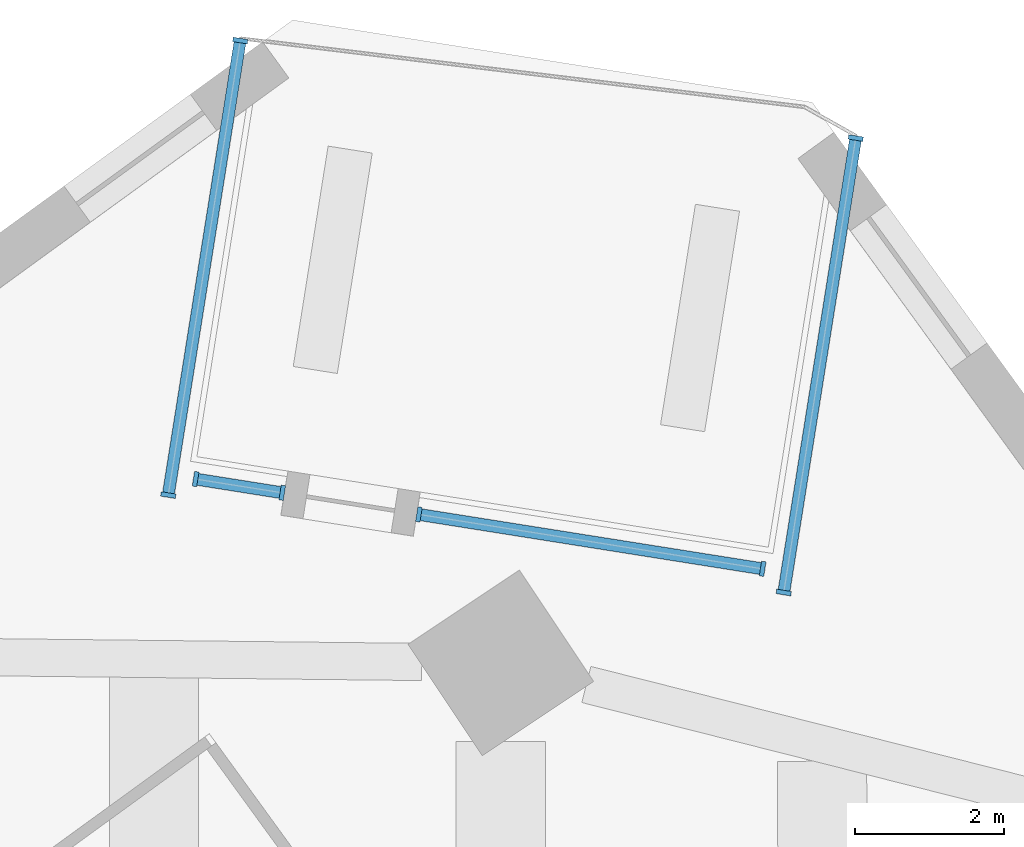
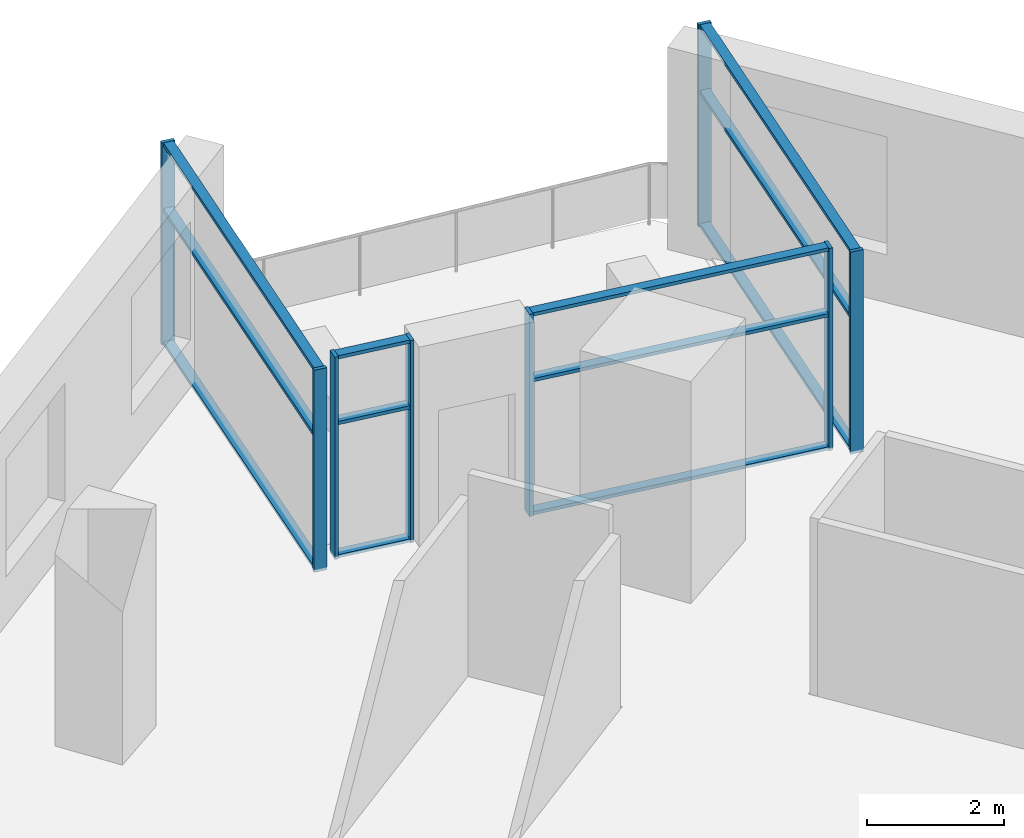
# One storey, part 2 of 11: 20 members, 4 elements without a shape of their own.
"""IFC4 building model written with IfcOpenShell, lengths in metres."""

from ifc_helpers import new_model, si_unit, direction, frame, origin, origin_2d, place, context, subcontext, project, spatial, rectangle, extrude, material, material_profile, profile_set, type_object, element, aggregate, save


model = new_model("IFC4")

# Units and contexts
model_context = context("Model", 3, precision=1e-05, world=origin(), true_north=direction((0.0, 1.0)))
body_context = subcontext(model_context, "Body", "Model", "MODEL_VIEW")
ifc_project = project(units=[si_unit("LENGTHUNIT", "METRE"), si_unit("AREAUNIT", "SQUARE_METRE"), si_unit("VOLUMEUNIT", "CUBIC_METRE"), si_unit("PLANEANGLEUNIT", "RADIAN"), si_unit("MASSUNIT", "GRAM", prefix="KILO")], contexts=[model_context])

# Site, building, storey
site_placement = place(None, origin())
site = spatial("IfcSite", under=ifc_project, at=site_placement, CompositionType="ELEMENT")
building_placement = place(site_placement, origin())
building = spatial("IfcBuilding", under=site, at=building_placement, Name="Dilmun Exchange Tower", CompositionType="ELEMENT")
storey_placement = place(building_placement, frame((0.0, 0.0, 167.699951171875)))
storey = spatial("IfcBuildingStorey", under=building, at=storey_placement, Name="L39", CompositionType="ELEMENT", Elevation=167.699951171875)

# Curtain wall, members
ifc_material_1 = material(Name="Anodised aluminium and clear glass", Category="aluminium")
curtain_wall_type = type_object("IfcCurtainWallType", Name="Garden corner glazing", PredefinedType="NOTDEFINED", material=ifc_material_1)
curtain_wall_1_placement = place(storey_placement, origin())
curtain_wall_1 = element("IfcCurtainWall", 1, at=curtain_wall_1_placement, inside=storey, type_object=curtain_wall_type, Name="Garden corner glazing run GC1.1", PredefinedType="NOTDEFINED")
ifc_material_2 = material(Name="Anodised aluminium", Category="aluminium")
ifc_material_profile_1 = material_profile(ifc_material_2, rectangle(XDim=0.199951171875, YDim=0.06005859375, at=origin_2d()), Name="AL 60x200")
ifc_profile_set_1 = profile_set([ifc_material_profile_1], Name="Anodised aluminium")
member_type_1 = type_object("IfcMemberType", Name="Garden corner glazing mullion 60 x 200", PredefinedType="MULLION", material=ifc_profile_set_1)
member_1_placement = place(storey_placement, frame((12.27734375, 34.465576171875, 0.0), z_axis=(0.0, 0.0, 1.0), x_axis=(0.987687564963, -0.15643936211, 0.0)))
member_1 = element("IfcMember", 2, at=member_1_placement, type_object=member_type_1, Name="GC1.1 mullion 1", PredefinedType="MULLION", context=body_context, shape_type="SweptSolid", body=[
    extrude(rectangle(XDim=0.199951171875, YDim=0.06005859375, at=origin_2d()), origin(), (0.0, 0.0, 1.0), 3.60009765625),
])
member_2_placement = place(storey_placement, frame((11.3095703125, 28.355224609375, 0.0), z_axis=(0.0, 0.0, 1.0), x_axis=(0.987687564963, -0.15643936211, 0.0)))
member_2 = element("IfcMember", 3, at=member_2_placement, type_object=member_type_1, Name="GC1.1 mullion 2", PredefinedType="MULLION", context=body_context, shape_type="SweptSolid", body=[
    extrude(rectangle(XDim=0.199951171875, YDim=0.06005859375, at=origin_2d()), origin(), (0.0, 0.0, 1.0), 3.60009765625),
])

curtain_wall_2_placement = place(storey_placement, origin())
curtain_wall_2 = element("IfcCurtainWall", 4, at=curtain_wall_2_placement, inside=storey, type_object=curtain_wall_type, Name="Garden corner glazing run GC2.1", PredefinedType="NOTDEFINED")
member_3_placement = place(storey_placement, frame((11.02587890625, 28.673583984375, 0.0), z_axis=(0.0, 0.0, 1.0), x_axis=(-0.156420902238, -0.987690488636, 0.0)))
member_3 = element("IfcMember", 5, at=member_3_placement, type_object=member_type_1, Name="GC2.1 mullion 1", PredefinedType="MULLION", context=body_context, shape_type="SweptSolid", body=[
    extrude(rectangle(XDim=0.199951171875, YDim=0.06005859375, at=origin_2d()), origin(), (0.0, 0.0, 1.0), 3.60009765625),
])
member_4_placement = place(storey_placement, frame((6.404541015625, 29.405517578125, 0.0), z_axis=(0.0, 0.0, 1.0), x_axis=(-0.156420902238, -0.987690488636, 0.0)))
member_4 = element("IfcMember", 6, at=member_4_placement, type_object=member_type_1, Name="GC2.1 mullion 2", PredefinedType="MULLION", context=body_context, shape_type="SweptSolid", body=[
    extrude(rectangle(XDim=0.199951171875, YDim=0.06005859375, at=origin_2d()), origin(), (0.0, 0.0, 1.0), 3.60009765625),
])

curtain_wall_3_placement = place(storey_placement, origin())
curtain_wall_3 = element("IfcCurtainWall", 7, at=curtain_wall_3_placement, inside=storey, type_object=curtain_wall_type, Name="Garden corner glazing run GC2.3", PredefinedType="NOTDEFINED")
member_5_placement = place(storey_placement, frame((4.5673828125, 29.6962890625, 0.0), z_axis=(0.0, 0.0, 1.0), x_axis=(-0.156488885164, -0.987679719757, 0.0)))
member_5 = element("IfcMember", 8, at=member_5_placement, type_object=member_type_1, Name="GC2.3 mullion 1", PredefinedType="MULLION", context=body_context, shape_type="SweptSolid", body=[
    extrude(rectangle(XDim=0.199951171875, YDim=0.06005859375, at=origin_2d()), origin(), (0.0, 0.0, 1.0), 3.60009765625),
])
member_6_placement = place(storey_placement, frame((3.40283203125, 29.880859375, 0.0), z_axis=(0.0, 0.0, 1.0), x_axis=(-0.156488885164, -0.987679719757, 0.0)))
member_6 = element("IfcMember", 9, at=member_6_placement, type_object=member_type_1, Name="GC2.3 mullion 2", PredefinedType="MULLION", context=body_context, shape_type="SweptSolid", body=[
    extrude(rectangle(XDim=0.199951171875, YDim=0.06005859375, at=origin_2d()), origin(), (0.0, 0.0, 1.0), 3.60009765625),
])

curtain_wall_4_placement = place(storey_placement, origin())
curtain_wall_4 = element("IfcCurtainWall", 10, at=curtain_wall_4_placement, inside=storey, type_object=curtain_wall_type, Name="Garden corner glazing run GC3.1", PredefinedType="NOTDEFINED")
member_7_placement = place(storey_placement, frame((3.03466796875, 29.665771484375, 0.0), z_axis=(0.0, 0.0, 1.0), x_axis=(-0.987687173161, 0.156441835751, 0.0)))
member_7 = element("IfcMember", 11, at=member_7_placement, type_object=member_type_1, Name="GC3.1 mullion 1", PredefinedType="MULLION", context=body_context, shape_type="SweptSolid", body=[
    extrude(rectangle(XDim=0.199951171875, YDim=0.06005859375, at=origin_2d()), origin(), (0.0, 0.0, 1.0), 3.60009765625),
])
member_8_placement = place(storey_placement, frame((4.00244140625, 35.776123046875, 0.0), z_axis=(0.0, 0.0, 1.0), x_axis=(-0.987687173161, 0.156441835751, 0.0)))
member_8 = element("IfcMember", 12, at=member_8_placement, type_object=member_type_1, Name="GC3.1 mullion 2", PredefinedType="MULLION", context=body_context, shape_type="SweptSolid", body=[
    extrude(rectangle(XDim=0.199951171875, YDim=0.06005859375, at=origin_2d()), origin(), (0.0, 0.0, 1.0), 3.60009765625),
])

# Member
ifc_material_profile_2 = material_profile(ifc_material_2, rectangle(XDim=0.159912109375, YDim=0.06005859375, at=origin_2d()), Name="AL 60x160")
ifc_profile_set_2 = profile_set([ifc_material_profile_2], Name="Anodised aluminium")
member_type_2 = type_object("IfcMemberType", Name="Garden corner glazing transom 60 x 160", PredefinedType="USERDEFINED", material=ifc_profile_set_2)
member_9_placement = place(storey_placement, frame((12.272705078125, 34.435791015625, 0.030029296875), z_axis=(-0.156451633997, -0.987685621147, 0.0), x_axis=(0.987685621147, -0.156451633997, 0.0)))
member_9 = element("IfcMember", 13, at=member_9_placement, type_object=member_type_2, Name="GC1.1 transom 1.1", ObjectType="TRANSOM", PredefinedType="USERDEFINED", context=body_context, shape_type="SweptSolid", body=[
    extrude(rectangle(XDim=0.159912109375, YDim=0.06005859375, at=origin_2d()), origin(), (0.0, 0.0, 1.0), 6.12646484375),
])

member_10_placement = place(storey_placement, frame((12.272705078125, 34.435791015625, 2.400146484375), z_axis=(-0.156451633997, -0.987685621147, 0.0), x_axis=(0.987685621147, -0.156451633997, 0.0)))
member_10 = element("IfcMember", 14, at=member_10_placement, type_object=member_type_2, Name="GC1.1 transom 1.2", ObjectType="TRANSOM", PredefinedType="USERDEFINED", context=body_context, shape_type="SweptSolid", body=[
    extrude(rectangle(XDim=0.159912109375, YDim=0.06005859375, at=origin_2d()), origin(), (0.0, 0.0, 1.0), 6.12646484375),
])

member_11_placement = place(storey_placement, frame((12.272705078125, 34.435791015625, 3.570068359375), z_axis=(-0.156451633997, -0.987685621147, 0.0), x_axis=(0.987685621147, -0.156451633997, 0.0)))
member_11 = element("IfcMember", 15, at=member_11_placement, type_object=member_type_2, Name="GC1.1 transom 1.3", ObjectType="TRANSOM", PredefinedType="USERDEFINED", context=body_context, shape_type="SweptSolid", body=[
    extrude(rectangle(XDim=0.159912109375, YDim=0.06005859375, at=origin_2d()), origin(), (0.0, 0.0, 1.0), 6.12646484375),
])

aggregate(curtain_wall_1, [member_1, member_2, member_9, member_10, member_11])

member_12_placement = place(storey_placement, frame((10.996337890625, 28.67822265625, 0.030029296875), z_axis=(-0.987694301711, 0.156396823394, 0.0), x_axis=(-0.156396823394, -0.987694301711, 0.0)))
member_12 = element("IfcMember", 16, at=member_12_placement, type_object=member_type_2, Name="GC2.1 transom 1.1", ObjectType="TRANSOM", PredefinedType="USERDEFINED", context=body_context, shape_type="SweptSolid", body=[
    extrude(rectangle(XDim=0.159912109375, YDim=0.06005859375, at=origin_2d()), origin(), (0.0, 0.0, 1.0), 4.619140625),
])

member_13_placement = place(storey_placement, frame((10.996337890625, 28.67822265625, 2.400146484375), z_axis=(-0.987694301711, 0.156396823394, 0.0), x_axis=(-0.156396823394, -0.987694301711, 0.0)))
member_13 = element("IfcMember", 17, at=member_13_placement, type_object=member_type_2, Name="GC2.1 transom 1.2", ObjectType="TRANSOM", PredefinedType="USERDEFINED", context=body_context, shape_type="SweptSolid", body=[
    extrude(rectangle(XDim=0.159912109375, YDim=0.06005859375, at=origin_2d()), origin(), (0.0, 0.0, 1.0), 4.619140625),
])

member_14_placement = place(storey_placement, frame((10.996337890625, 28.67822265625, 3.570068359375), z_axis=(-0.987694301711, 0.156396823394, 0.0), x_axis=(-0.156396823394, -0.987694301711, 0.0)))
member_14 = element("IfcMember", 18, at=member_14_placement, type_object=member_type_2, Name="GC2.1 transom 1.3", ObjectType="TRANSOM", PredefinedType="USERDEFINED", context=body_context, shape_type="SweptSolid", body=[
    extrude(rectangle(XDim=0.159912109375, YDim=0.06005859375, at=origin_2d()), origin(), (0.0, 0.0, 1.0), 4.619140625),
])

aggregate(curtain_wall_2, [member_3, member_4, member_12, member_13, member_14])

member_15_placement = place(storey_placement, frame((4.537841796875, 29.701171875, 0.030029296875), z_axis=(-0.987693892397, 0.156399408315, 0.0), x_axis=(-0.156399408315, -0.987693892397, 0.0)))
member_15 = element("IfcMember", 19, at=member_15_placement, type_object=member_type_2, Name="GC2.3 transom 1.1", ObjectType="TRANSOM", PredefinedType="USERDEFINED", context=body_context, shape_type="SweptSolid", body=[
    extrude(rectangle(XDim=0.159912109375, YDim=0.06005859375, at=origin_2d()), origin(), (0.0, 0.0, 1.0), 1.119140625),
])

member_16_placement = place(storey_placement, frame((4.537841796875, 29.701171875, 2.400146484375), z_axis=(-0.987693892397, 0.156399408315, 0.0), x_axis=(-0.156399408315, -0.987693892397, 0.0)))
member_16 = element("IfcMember", 20, at=member_16_placement, type_object=member_type_2, Name="GC2.3 transom 1.2", ObjectType="TRANSOM", PredefinedType="USERDEFINED", context=body_context, shape_type="SweptSolid", body=[
    extrude(rectangle(XDim=0.159912109375, YDim=0.06005859375, at=origin_2d()), origin(), (0.0, 0.0, 1.0), 1.119140625),
])

member_17_placement = place(storey_placement, frame((4.537841796875, 29.701171875, 3.570068359375), z_axis=(-0.987693892397, 0.156399408315, 0.0), x_axis=(-0.156399408315, -0.987693892397, 0.0)))
member_17 = element("IfcMember", 21, at=member_17_placement, type_object=member_type_2, Name="GC2.3 transom 1.3", ObjectType="TRANSOM", PredefinedType="USERDEFINED", context=body_context, shape_type="SweptSolid", body=[
    extrude(rectangle(XDim=0.159912109375, YDim=0.06005859375, at=origin_2d()), origin(), (0.0, 0.0, 1.0), 1.119140625),
])

aggregate(curtain_wall_3, [member_5, member_6, member_15, member_16, member_17])

member_18_placement = place(storey_placement, frame((3.039306640625, 29.695556640625, 0.030029296875), z_axis=(0.15645779208, 0.987684645673, 0.0), x_axis=(-0.987684645673, 0.15645779208, 0.0)))
member_18 = element("IfcMember", 22, at=member_18_placement, type_object=member_type_2, Name="GC3.1 transom 1.1", ObjectType="TRANSOM", PredefinedType="USERDEFINED", context=body_context, shape_type="SweptSolid", body=[
    extrude(rectangle(XDim=0.159912109375, YDim=0.06005859375, at=origin_2d()), origin(), (0.0, 0.0, 1.0), 6.126220703125),
])

member_19_placement = place(storey_placement, frame((3.039306640625, 29.695556640625, 2.400146484375), z_axis=(0.15645779208, 0.987684645673, 0.0), x_axis=(-0.987684645673, 0.15645779208, 0.0)))
member_19 = element("IfcMember", 23, at=member_19_placement, type_object=member_type_2, Name="GC3.1 transom 1.2", ObjectType="TRANSOM", PredefinedType="USERDEFINED", context=body_context, shape_type="SweptSolid", body=[
    extrude(rectangle(XDim=0.159912109375, YDim=0.06005859375, at=origin_2d()), origin(), (0.0, 0.0, 1.0), 6.126220703125),
])

member_20_placement = place(storey_placement, frame((3.039306640625, 29.695556640625, 3.570068359375), z_axis=(0.15645779208, 0.987684645673, 0.0), x_axis=(-0.987684645673, 0.15645779208, 0.0)))
member_20 = element("IfcMember", 24, at=member_20_placement, type_object=member_type_2, Name="GC3.1 transom 1.3", ObjectType="TRANSOM", PredefinedType="USERDEFINED", context=body_context, shape_type="SweptSolid", body=[
    extrude(rectangle(XDim=0.159912109375, YDim=0.06005859375, at=origin_2d()), origin(), (0.0, 0.0, 1.0), 6.126220703125),
])

aggregate(curtain_wall_4, [member_7, member_8, member_18, member_19, member_20])

save(model, "model.ifc")
